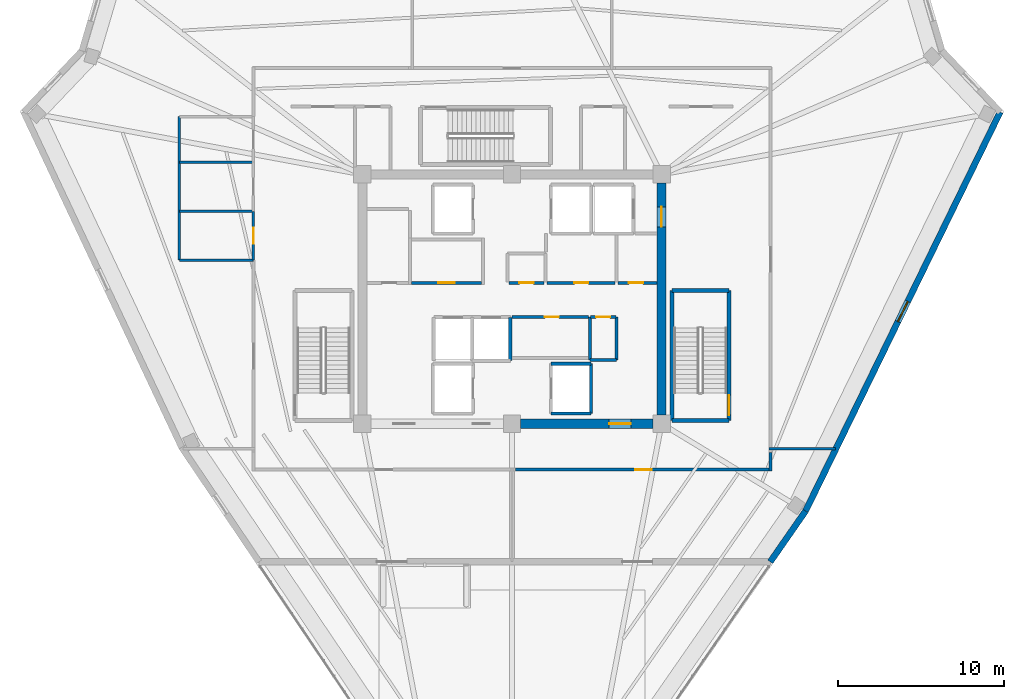
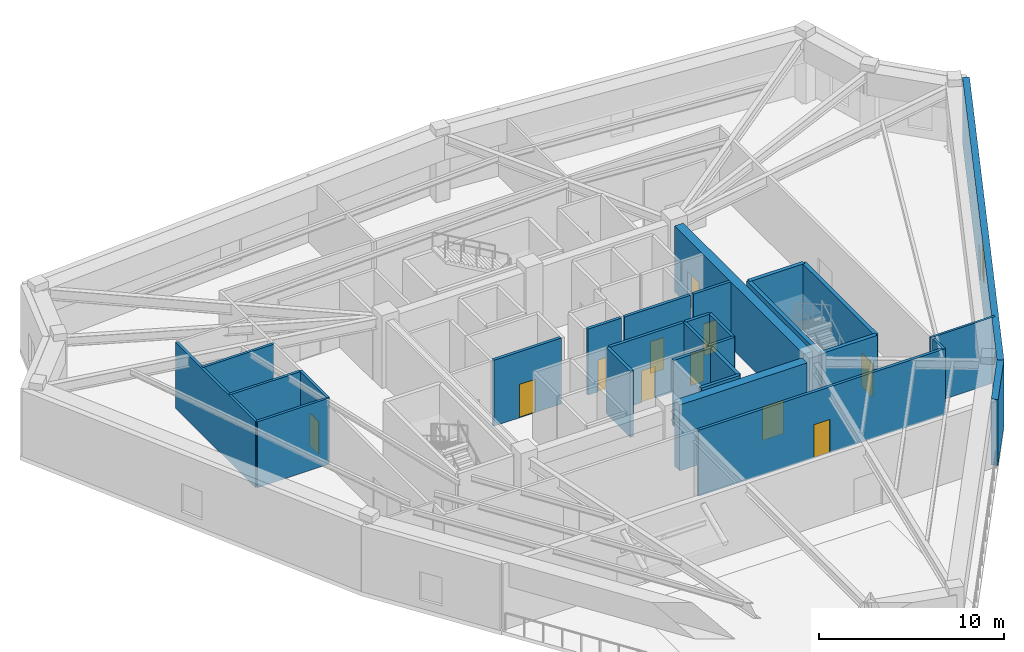
# One storey, part 5 of 12: 29 walls, 11 doors, 1 window, 12 openings.
"""IFC4 building model written with IfcOpenShell, lengths in metres."""

from ifc_helpers import new_model, si_unit, direction, frame, frame_2d, origin, place, context, subcontext, project, spatial, rectangle, extrude, source, transform, mapped, material, layer, layer_set, type_object, element, fill, save


model = new_model("IFC4")

# Units and contexts
model_context = context("Model", 3, precision=1e-05, world=origin(), true_north=direction((0.0, 1.0)))
body_context = subcontext(model_context, "Body", "Model", "MODEL_VIEW")
ifc_project = project(units=[si_unit("LENGTHUNIT", "METRE"), si_unit("AREAUNIT", "SQUARE_METRE"), si_unit("VOLUMEUNIT", "CUBIC_METRE"), si_unit("PLANEANGLEUNIT", "RADIAN"), si_unit("MASSUNIT", "GRAM", prefix="KILO")], contexts=[model_context])

# Site, building, storey
site_placement = place(None, origin())
site = spatial("IfcSite", under=ifc_project, at=site_placement, CompositionType="ELEMENT")
building_placement = place(site_placement, origin())
building = spatial("IfcBuilding", under=site, at=building_placement, Name="Liaohun Quay Tower", CompositionType="ELEMENT")
storey_placement = place(building_placement, frame((0.0, 0.0, 355.800048828125)))
storey = spatial("IfcBuildingStorey", under=building, at=storey_placement, Name="L92", CompositionType="ELEMENT", Elevation=355.800048828125)

# Wall, opening, door
ifc_material_1 = material(Name="Concrete C50", Category="concrete")
ifc_layer_1 = layer(ifc_material_1, 0.550048828125, Name="Concrete C50", Category="concrete")
ifc_layer_set_1 = layer_set([ifc_layer_1], Name="Concrete C50")
wall_type_1 = type_object("IfcWallType", Name="WAL-COR-Z4", PredefinedType="SHEAR", material=ifc_layer_set_1)
wall_1_placement = place(storey_placement, frame((69.0, 60.97509765625, 0.0), z_axis=(0.0, 0.0, 1.0), x_axis=(0.0, -1.0, 0.0)))
wall_1 = element("IfcWall", 1, at=wall_1_placement, inside=storey, type_object=wall_type_1, Name="L92 Central Core Shear Wall E", PredefinedType="SHEAR", context=body_context, shape_type="SweptSolid", body=[
    extrude(rectangle(XDim=13.9501953125, YDim=0.550048828125, at=frame_2d((6.97509765625, 0.0))), origin(), (0.0, 0.0, 1.0), 4.349853515625),
])
shared_shape_1 = source(origin(), body_context, "Body", "SweptSolid", [
    extrude(rectangle(XDim=1.199951171875, YDim=2.199951171875, at=frame_2d((0.60009765625, 1.10009765625))), frame((0.0, 0.284912109375, 0.0), z_axis=(0.0, -1.0, 0.0), x_axis=(1.0, 0.0, 0.0)), (0.0, 0.0, 1.0), 0.570068359375),
])
opening_1_placement = place(wall_1_placement, frame((1.425048828125, 0.0, 0.0)))
opening_1 = element("IfcOpeningElement", 2, at=opening_1_placement, cuts=wall_1, Name="Opening SD1", PredefinedType="OPENING", context=body_context, shape_type="MappedRepresentation", body=[
    mapped(shared_shape_1, transform((0.0, 0.0, 0.0), x_axis=(1.0, 0.0, 0.0), y_axis=(0.0, 1.0, 0.0), z_axis=(0.0, 0.0, 1.0), scale=1.0)),
])
ifc_material_2 = material(Name="Galvanised steel fire door", Category="steel")
door_type_1 = type_object("IfcDoorType", Name="DOR-STR-1200", OperationType="NOTDEFINED", PredefinedType="DOOR", material=ifc_material_2)
shared_shape_2 = source(origin(), body_context, "Body", "SweptSolid", [
    extrude(rectangle(XDim=1.199951171875, YDim=2.199951171875, at=frame_2d((0.60009765625, 1.10009765625))), frame((0.0, 0.02490234375, 0.0), z_axis=(0.0, -1.0, 0.0), x_axis=(1.0, 0.0, 0.0)), (0.0, 0.0, 1.0), 0.050048828125),
])
door_1_placement = place(opening_1_placement, origin())
door_1 = element("IfcDoor", 3, at=door_1_placement, inside=storey, type_object=door_type_1, Name="L92 North-East Core Lobby Smokeproof Door", OperationType="SINGLE_SWING_LEFT", OverallHeight=2.199951171875, OverallWidth=1.199951171875, PredefinedType="DOOR", context=body_context, shape_type="MappedRepresentation", body=[
    mapped(shared_shape_2, transform((0.0, 0.0, 0.0), x_axis=(1.0, 0.0, 0.0), y_axis=(0.0, 1.0, 0.0), z_axis=(0.0, 0.0, 1.0), scale=1.0)),
])
fill(opening_1, door_1)

wall_2_placement = place(storey_placement, frame((68.47509765625, 46.5, 0.0), z_axis=(0.0, 0.0, 1.0), x_axis=(-1.0, 0.0, 0.0)))
wall_2 = element("IfcWall", 4, at=wall_2_placement, inside=storey, type_object=wall_type_1, Name="L92 Central Core Shear Wall S-E", PredefinedType="SHEAR", context=body_context, shape_type="SweptSolid", body=[
    extrude(rectangle(XDim=7.9501953125, YDim=0.550048828125, at=frame_2d((3.97509765625, 0.0))), origin(), (0.0, 0.0, 1.0), 4.349853515625),
])
shared_shape_3 = source(origin(), body_context, "Body", "SweptSolid", [
    extrude(rectangle(XDim=1.300048828125, YDim=2.199951171875, at=frame_2d((0.64990234375, 1.10009765625))), frame((0.0, 0.284912109375, 0.0), z_axis=(0.0, -1.0, 0.0), x_axis=(1.0, 0.0, 0.0)), (0.0, 0.0, 1.0), 0.570068359375),
])
opening_2_placement = place(wall_2_placement, frame((1.324951171875, 0.0, 0.0)))
opening_2 = element("IfcOpeningElement", 5, at=opening_2_placement, cuts=wall_2, Name="Opening FD1", PredefinedType="OPENING", context=body_context, shape_type="MappedRepresentation", body=[
    mapped(shared_shape_3, transform((0.0, 0.0, 0.0), x_axis=(1.0, 0.0, 0.0), y_axis=(0.0, 1.0, 0.0), z_axis=(0.0, 0.0, 1.0), scale=1.0)),
])
ifc_material_3 = material(Name="Galvanised steel smokeproof fire door", Category="steel")
door_type_2 = type_object("IfcDoorType", Name="DOR-FFL-1300", OperationType="NOTDEFINED", PredefinedType="DOOR", material=ifc_material_3)
shared_shape_4 = source(origin(), body_context, "Body", "SweptSolid", [
    extrude(rectangle(XDim=1.300048828125, YDim=2.199951171875, at=frame_2d((0.64990234375, 1.10009765625))), frame((0.0, 0.02490234375, 0.0), z_axis=(0.0, -1.0, 0.0), x_axis=(1.0, 0.0, 0.0)), (0.0, 0.0, 1.0), 0.050048828125),
])
door_2_placement = place(opening_2_placement, origin())
door_2 = element("IfcDoor", 6, at=door_2_placement, inside=storey, type_object=door_type_2, Name="L92 East Core Lift Lobby Smokeproof Door", OperationType="SINGLE_SWING_LEFT", OverallHeight=2.199951171875, OverallWidth=1.300048828125, PredefinedType="DOOR", context=body_context, shape_type="MappedRepresentation", body=[
    mapped(shared_shape_4, transform((0.0, 0.0, 0.0), x_axis=(1.0, 0.0, 0.0), y_axis=(0.0, 1.0, 0.0), z_axis=(0.0, 0.0, 1.0), scale=1.0)),
])
fill(opening_2, door_2)

# Wall
ifc_material_4 = material(Name="Precast concrete C50 insulated sandwich", Category="concrete")
ifc_layer_2 = layer(ifc_material_4, 0.3798828125, Name="Precast concrete C50 insulated sandwich", Category="concrete")
ifc_layer_set_2 = layer_set([ifc_layer_2], Name="Precast concrete C50 insulated sandwich")
wall_type_2 = type_object("IfcWallType", Name="WAL-EXT-Z34", PredefinedType="SOLIDWALL", material=ifc_layer_set_2)
wall_3_placement = place(storey_placement, frame((75.5419921875, 38.18994140625, 0.0), z_axis=(0.0, 0.0, 1.0), x_axis=(0.570580153898, 0.821241918059, 0.0)))
element("IfcWall", 7, at=wall_3_placement, inside=storey, type_object=wall_type_2, Name="L92 Sky Belvedere Exterior Wall 01", PredefinedType="SOLIDWALL", context=body_context, shape_type="SweptSolid", body=[
    extrude(rectangle(XDim=3.72265625, YDim=0.3798828125, at=frame_2d((1.861328125, 0.0))), origin(), (0.0, 0.0, 1.0), 4.349853515625),
])

# Wall, opening, window
wall_4_placement = place(storey_placement, frame((77.666015625, 41.2470703125, 0.0), z_axis=(0.0, 0.0, 1.0), x_axis=(0.438342251302, 0.898808138995, 0.0)))
wall_4 = element("IfcWall", 8, at=wall_4_placement, inside=storey, type_object=wall_type_2, Name="L92 Sky Belvedere Exterior Wall 02", PredefinedType="SOLIDWALL", context=body_context, shape_type="SweptSolid", body=[
    extrude(rectangle(XDim=26.71630859375, YDim=0.3798828125, at=frame_2d((13.358154296875, 0.0))), origin(), (0.0, 0.0, 1.0), 4.349853515625),
])
shared_shape_5 = source(origin(), body_context, "Body", "SweptSolid", [
    extrude(rectangle(XDim=1.35009765625, YDim=1.85009765625, at=frame_2d((0.675048828125, 0.925048828125))), frame((0.0, 0.199951171875, 0.0), z_axis=(0.0, -1.0, 0.0), x_axis=(1.0, 0.0, 0.0)), (0.0, 0.0, 1.0), 0.39990234375),
])
opening_3_placement = place(wall_4_placement, frame((12.68310546875, 0.0, 0.550048828125)))
opening_3 = element("IfcOpeningElement", 9, at=opening_3_placement, cuts=wall_4, Name="Opening W04", PredefinedType="OPENING", context=body_context, shape_type="MappedRepresentation", body=[
    mapped(shared_shape_5, transform((0.0, 0.0, 0.0), x_axis=(1.0, 0.0, 0.0), y_axis=(0.0, 1.0, 0.0), z_axis=(0.0, 0.0, 1.0), scale=1.0)),
])
ifc_material_5 = material(Name="Triple Low-E argon glazing in thermally broken aluminium", Category="aluminium")
window_type = type_object("IfcWindowType", Name="WIN-PUN-Z4", PartitioningType="SINGLE_PANEL", PredefinedType="WINDOW", material=ifc_material_5)
shared_shape_6 = source(origin(), body_context, "Body", "SweptSolid", [
    extrude(rectangle(XDim=1.35009765625, YDim=1.85009765625, at=frame_2d((0.675048828125, 0.925048828125))), frame((0.0, 0.030029296875, 0.0), z_axis=(0.0, -1.0, 0.0), x_axis=(1.0, 0.0, 0.0)), (0.0, 0.0, 1.0), 0.06005859375),
])
window_placement = place(opening_3_placement, origin())
window = element("IfcWindow", 10, at=window_placement, inside=storey, type_object=window_type, Name="L92 Observatory Window W04-02", OverallHeight=1.85009765625, OverallWidth=1.35009765625, PartitioningType="SINGLE_PANEL", PredefinedType="WINDOW", context=body_context, shape_type="MappedRepresentation", body=[
    mapped(shared_shape_6, transform((0.0, 0.0, 0.0), x_axis=(1.0, 0.0, 0.0), y_axis=(0.0, 1.0, 0.0), z_axis=(0.0, 0.0, 1.0), scale=1.0)),
])
fill(opening_3, window)

# Wall, opening, door
ifc_material_6 = material(Name="Autoclaved aerated concrete blockwork", Category="masonry")
ifc_layer_3 = layer(ifc_material_6, 0.179931640625, Name="Autoclaved aerated concrete blockwork", Category="masonry")
ifc_layer_set_3 = layer_set([ifc_layer_3], Name="Autoclaved aerated concrete blockwork")
wall_type_3 = type_object("IfcWallType", Name="WAL-PRT-COR", PredefinedType="PARTITIONING", material=ifc_layer_set_3)
wall_5_placement = place(storey_placement, frame((60.0, 52.919921875, 0.0), z_axis=(0.0, 0.0, 1.0), x_axis=(1.0, 0.0, 0.0)))
wall_5 = element("IfcWall", 11, at=wall_5_placement, inside=storey, type_object=wall_type_3, Name="L92 Interior Partition Wall 001", PredefinedType="PARTITIONING", context=body_context, shape_type="SweptSolid", body=[
    extrude(rectangle(XDim=4.60009765625, YDim=0.179931640625, at=frame_2d((2.300048828125, 0.0))), origin(), (0.0, 0.0, 1.0), 4.349853515625),
])
shared_shape_7 = source(origin(), body_context, "Body", "SweptSolid", [
    extrude(rectangle(XDim=0.85009765625, YDim=2.10009765625, at=frame_2d((0.425048828125, 1.050048828125))), frame((0.0, 0.099853515625, 0.0), z_axis=(0.0, -1.0, 0.0), x_axis=(1.0, 0.0, 0.0)), (0.0, 0.0, 1.0), 0.199951171875),
])
opening_4_placement = place(wall_5_placement, frame((1.97509765625, 0.0, 0.0)))
opening_4 = element("IfcOpeningElement", 12, at=opening_4_placement, cuts=wall_5, Name="Opening AD1", PredefinedType="OPENING", context=body_context, shape_type="MappedRepresentation", body=[
    mapped(shared_shape_7, transform((0.0, 0.0, 0.0), x_axis=(1.0, 0.0, 0.0), y_axis=(0.0, 1.0, 0.0), z_axis=(0.0, 0.0, 1.0), scale=1.0)),
])
ifc_material_7 = material(Name="Steel riser inspection fire door", Category="steel")
door_type_3 = type_object("IfcDoorType", Name="DOR-SHF-850", OperationType="NOTDEFINED", PredefinedType="DOOR", material=ifc_material_7)
shared_shape_8 = source(origin(), body_context, "Body", "SweptSolid", [
    extrude(rectangle(XDim=0.85009765625, YDim=2.10009765625, at=frame_2d((0.425048828125, 1.050048828125))), frame((0.0, 0.02490234375, 0.0), z_axis=(0.0, -1.0, 0.0), x_axis=(1.0, 0.0, 0.0)), (0.0, 0.0, 1.0), 0.050048828125),
])
door_3_placement = place(opening_4_placement, origin())
door_3 = element("IfcDoor", 13, at=door_3_placement, inside=storey, type_object=door_type_3, Name="L92 Core High-Zone BMS and Switch Room Door", OperationType="SINGLE_SWING_LEFT", OverallHeight=2.10009765625, OverallWidth=0.85009765625, PredefinedType="DOOR", context=body_context, shape_type="MappedRepresentation", body=[
    mapped(shared_shape_8, transform((0.0, 0.0, 0.0), x_axis=(1.0, 0.0, 0.0), y_axis=(0.0, 1.0, 0.0), z_axis=(0.0, 0.0, 1.0), scale=1.0)),
])
fill(opening_4, door_3)

wall_6_placement = place(storey_placement, frame((53.93994140625, 54.97998046875, 0.0), z_axis=(0.0, 0.0, 1.0), x_axis=(1.0, 0.0, 0.0)))
wall_6 = element("IfcWall", 14, at=wall_6_placement, inside=storey, type_object=wall_type_3, Name="L92 Interior Partition Wall 002", PredefinedType="PARTITIONING", context=body_context, shape_type="SweptSolid", body=[
    extrude(rectangle(XDim=4.219970703125, YDim=0.179931640625, at=frame_2d((2.10986328125, 0.0))), origin(), (0.0, 0.0, 1.0), 4.349853515625),
])
shared_shape_9 = source(origin(), body_context, "Body", "SweptSolid", [
    extrude(rectangle(XDim=1.0, YDim=2.199951171875, at=frame_2d((0.5, 1.10009765625))), frame((0.0, 0.099853515625, 0.0), z_axis=(0.0, -1.0, 0.0), x_axis=(1.0, 0.0, 0.0)), (0.0, 0.0, 1.0), 0.199951171875),
])
opening_5_placement = place(wall_6_placement, frame((1.610107421875, 0.0, 0.0)))
opening_5 = element("IfcOpeningElement", 15, at=opening_5_placement, cuts=wall_6, Name="Opening OD1", PredefinedType="OPENING", context=body_context, shape_type="MappedRepresentation", body=[
    mapped(shared_shape_9, transform((0.0, 0.0, 0.0), x_axis=(1.0, 0.0, 0.0), y_axis=(0.0, 1.0, 0.0), z_axis=(0.0, 0.0, 1.0), scale=1.0)),
])
ifc_material_8 = material(Name="Solid-core oak veneer timber leaf in steel frame", Category="steel")
door_type_4 = type_object("IfcDoorType", Name="DOR-OFF-1000", OperationType="NOTDEFINED", PredefinedType="DOOR", material=ifc_material_8)
shared_shape_10 = source(origin(), body_context, "Body", "SweptSolid", [
    extrude(rectangle(XDim=1.0, YDim=2.199951171875, at=frame_2d((0.5, 1.10009765625))), frame((0.0, 0.02490234375, 0.0), z_axis=(0.0, -1.0, 0.0), x_axis=(1.0, 0.0, 0.0)), (0.0, 0.0, 1.0), 0.050048828125),
])
door_4_placement = place(opening_5_placement, origin())
door_4 = element("IfcDoor", 16, at=door_4_placement, inside=storey, type_object=door_type_4, Name="L92 Core Staff Pantry and Tea Room Door", OperationType="SINGLE_SWING_RIGHT", OverallHeight=2.199951171875, OverallWidth=1.0, PredefinedType="DOOR", context=body_context, shape_type="MappedRepresentation", body=[
    mapped(shared_shape_10, transform((0.0, 0.0, 0.0), x_axis=(1.0, 0.0, 0.0), y_axis=(0.0, 1.0, 0.0), z_axis=(0.0, 0.0, 1.0), scale=1.0)),
])
fill(opening_5, door_4)

wall_7_placement = place(storey_placement, frame((62.10009765625, 54.97998046875, 0.0), z_axis=(0.0, 0.0, 1.0), x_axis=(1.0, 0.0, 0.0)))
wall_7 = element("IfcWall", 17, at=wall_7_placement, inside=storey, type_object=wall_type_3, Name="L92 Interior Partition Wall 004", PredefinedType="PARTITIONING", context=body_context, shape_type="SweptSolid", body=[
    extrude(rectangle(XDim=4.10986328125, YDim=0.179931640625, at=frame_2d((2.054931640625, 0.0))), origin(), (0.0, 0.0, 1.0), 4.349853515625),
])
opening_6_placement = place(wall_7_placement, frame((1.64990234375, 0.0, 0.0)))
opening_6 = element("IfcOpeningElement", 18, at=opening_6_placement, cuts=wall_7, Name="Opening AD1", PredefinedType="OPENING", context=body_context, shape_type="MappedRepresentation", body=[
    mapped(shared_shape_7, transform((0.0, 0.0, 0.0), x_axis=(1.0, 0.0, 0.0), y_axis=(0.0, 1.0, 0.0), z_axis=(0.0, 0.0, 1.0), scale=1.0)),
])
door_5_placement = place(opening_6_placement, origin())
door_5 = element("IfcDoor", 19, at=door_5_placement, inside=storey, type_object=door_type_3, Name="L92 Core Metering Closet Door", OperationType="SINGLE_SWING_RIGHT", OverallHeight=2.10009765625, OverallWidth=0.85009765625, PredefinedType="DOOR", context=body_context, shape_type="MappedRepresentation", body=[
    mapped(shared_shape_8, transform((0.0, 0.0, 0.0), x_axis=(1.0, 0.0, 0.0), y_axis=(0.0, 1.0, 0.0), z_axis=(0.0, 0.0, 1.0), scale=1.0)),
])
fill(opening_6, door_5)

wall_8_placement = place(storey_placement, frame((66.389892578125, 54.97998046875, 0.0), z_axis=(0.0, 0.0, 1.0), x_axis=(1.0, 0.0, 0.0)))
wall_8 = element("IfcWall", 20, at=wall_8_placement, inside=storey, type_object=wall_type_3, Name="L92 Interior Partition Wall 005", PredefinedType="PARTITIONING", context=body_context, shape_type="SweptSolid", body=[
    extrude(rectangle(XDim=2.335205078125, YDim=0.179931640625, at=frame_2d((1.16748046875, 0.0))), origin(), (0.0, 0.0, 1.0), 4.349853515625),
])
opening_7_placement = place(wall_8_placement, frame((0.64990234375, 0.0, 0.0)))
opening_7 = element("IfcOpeningElement", 21, at=opening_7_placement, cuts=wall_8, Name="Opening AD1", PredefinedType="OPENING", context=body_context, shape_type="MappedRepresentation", body=[
    mapped(shared_shape_7, transform((0.0, 0.0, 0.0), x_axis=(1.0, 0.0, 0.0), y_axis=(0.0, 1.0, 0.0), z_axis=(0.0, 0.0, 1.0), scale=1.0)),
])
door_6_placement = place(opening_7_placement, origin())
door_6 = element("IfcDoor", 22, at=door_6_placement, inside=storey, type_object=door_type_3, Name="L92 Core Janitor Store Door", OperationType="SINGLE_SWING_LEFT", OverallHeight=2.10009765625, OverallWidth=0.85009765625, PredefinedType="DOOR", context=body_context, shape_type="MappedRepresentation", body=[
    mapped(shared_shape_8, transform((0.0, 0.0, 0.0), x_axis=(1.0, 0.0, 0.0), y_axis=(0.0, 1.0, 0.0), z_axis=(0.0, 0.0, 1.0), scale=1.0)),
])
fill(opening_7, door_6)

wall_9_placement = place(storey_placement, frame((59.81005859375, 54.97998046875, 0.0), z_axis=(0.0, 0.0, 1.0), x_axis=(1.0, 0.0, 0.0)))
wall_9 = element("IfcWall", 23, at=wall_9_placement, inside=storey, type_object=wall_type_3, Name="L92 Interior Partition Wall 006", PredefinedType="PARTITIONING", context=body_context, shape_type="SweptSolid", body=[
    extrude(rectangle(XDim=2.10986328125, YDim=0.179931640625, at=frame_2d((1.054931640625, 0.0))), origin(), (0.0, 0.0, 1.0), 4.349853515625),
])
opening_8_placement = place(wall_9_placement, frame((0.635009765625, 0.0, 0.0)))
opening_8 = element("IfcOpeningElement", 24, at=opening_8_placement, cuts=wall_9, Name="Opening AD1", PredefinedType="OPENING", context=body_context, shape_type="MappedRepresentation", body=[
    mapped(shared_shape_7, transform((0.0, 0.0, 0.0), x_axis=(1.0, 0.0, 0.0), y_axis=(0.0, 1.0, 0.0), z_axis=(0.0, 0.0, 1.0), scale=1.0)),
])
door_7_placement = place(opening_8_placement, origin())
door_7 = element("IfcDoor", 25, at=door_7_placement, inside=storey, type_object=door_type_3, Name="L92 Electrical Meter Room Door", OperationType="SINGLE_SWING_RIGHT", OverallHeight=2.10009765625, OverallWidth=0.85009765625, PredefinedType="DOOR", context=body_context, shape_type="MappedRepresentation", body=[
    mapped(shared_shape_8, transform((0.0, 0.0, 0.0), x_axis=(1.0, 0.0, 0.0), y_axis=(0.0, 1.0, 0.0), z_axis=(0.0, 0.0, 1.0), scale=1.0)),
])
fill(opening_8, door_7)

wall_10_placement = place(storey_placement, frame((64.719970703125, 52.919921875, 0.0), z_axis=(0.0, 0.0, 1.0), x_axis=(1.0, 0.0, 0.0)))
wall_10 = element("IfcWall", 26, at=wall_10_placement, inside=storey, type_object=wall_type_3, Name="L92 Interior Partition Wall 007", PredefinedType="PARTITIONING", context=body_context, shape_type="SweptSolid", body=[
    extrude(rectangle(XDim=1.530029296875, YDim=0.179931640625, at=frame_2d((0.76513671875, 0.0))), origin(), (0.0, 0.0, 1.0), 4.349853515625),
])
opening_9_placement = place(wall_10_placement, frame((0.340087890625, 0.0, 0.0)))
opening_9 = element("IfcOpeningElement", 27, at=opening_9_placement, cuts=wall_10, Name="Opening AD1", PredefinedType="OPENING", context=body_context, shape_type="MappedRepresentation", body=[
    mapped(shared_shape_7, transform((0.0, 0.0, 0.0), x_axis=(1.0, 0.0, 0.0), y_axis=(0.0, 1.0, 0.0), z_axis=(0.0, 0.0, 1.0), scale=1.0)),
])
door_8_placement = place(opening_9_placement, origin())
door_8 = element("IfcDoor", 28, at=door_8_placement, inside=storey, type_object=door_type_3, Name="L92 BMS Data Riser Room Door", OperationType="SINGLE_SWING_LEFT", OverallHeight=2.10009765625, OverallWidth=0.85009765625, PredefinedType="DOOR", context=body_context, shape_type="MappedRepresentation", body=[
    mapped(shared_shape_8, transform((0.0, 0.0, 0.0), x_axis=(1.0, 0.0, 0.0), y_axis=(0.0, 1.0, 0.0), z_axis=(0.0, 0.0, 1.0), scale=1.0)),
])
fill(opening_9, door_8)

wall_11_placement = place(storey_placement, frame((75.6298828125, 43.739990234375, 0.0), z_axis=(0.0, 0.0, 1.0), x_axis=(-1.0, 0.0, 0.0)))
wall_11 = element("IfcWall", 29, at=wall_11_placement, inside=storey, type_object=wall_type_3, Name="L92 Interior Partition Wall 019", PredefinedType="PARTITIONING", context=body_context, shape_type="SweptSolid", body=[
    extrude(rectangle(XDim=15.414794921875, YDim=0.179931640625, at=frame_2d((7.70751953125, 0.0))), origin(), (0.0, 0.0, 1.0), 4.349853515625),
])
opening_10_placement = place(wall_11_placement, frame((7.20703125, 0.0, 0.0)))
opening_10 = element("IfcOpeningElement", 30, at=opening_10_placement, cuts=wall_11, Name="Opening OD1", PredefinedType="OPENING", context=body_context, shape_type="MappedRepresentation", body=[
    mapped(shared_shape_9, transform((0.0, 0.0, 0.0), x_axis=(1.0, 0.0, 0.0), y_axis=(0.0, 1.0, 0.0), z_axis=(0.0, 0.0, 1.0), scale=1.0)),
])
door_9_placement = place(opening_10_placement, origin())
door_9 = element("IfcDoor", 31, at=door_9_placement, inside=storey, type_object=door_type_4, Name="L92 Observatory Weather Laboratory 05 Door", OperationType="SINGLE_SWING_LEFT", OverallHeight=2.199951171875, OverallWidth=1.0, PredefinedType="DOOR", context=body_context, shape_type="MappedRepresentation", body=[
    mapped(shared_shape_10, transform((0.0, 0.0, 0.0), x_axis=(1.0, 0.0, 0.0), y_axis=(0.0, 1.0, 0.0), z_axis=(0.0, 0.0, 1.0), scale=1.0)),
])
fill(opening_10, door_9)

# Walls
wall_12_placement = place(storey_placement, frame((64.68994140625, 50.35009765625, 0.0), z_axis=(0.0, 0.0, 1.0), x_axis=(0.0, 1.0, 0.0)))
element("IfcWall", 32, at=wall_12_placement, inside=storey, type_object=wall_type_3, Name="L92 Interior Partition Wall 025", PredefinedType="PARTITIONING", context=body_context, shape_type="SweptSolid", body=[
    extrude(rectangle(XDim=2.56982421875, YDim=0.179931640625, at=frame_2d((1.284912109375, 0.0))), origin(), (0.0, 0.0, 1.0), 4.349853515625),
])
wall_13_placement = place(storey_placement, frame((64.68994140625, 50.35009765625, 0.0), z_axis=(0.0, 0.0, 1.0), x_axis=(1.0, 0.0, 0.0)))
element("IfcWall", 33, at=wall_13_placement, inside=storey, type_object=wall_type_3, Name="L92 Interior Partition Wall 026", PredefinedType="PARTITIONING", context=body_context, shape_type="SweptSolid", body=[
    extrude(rectangle(XDim=1.590087890625, YDim=0.179931640625, at=frame_2d((0.794921875, 0.0))), origin(), (0.0, 0.0, 1.0), 4.349853515625),
])
wall_14_placement = place(storey_placement, frame((66.280029296875, 50.35009765625, 0.0), z_axis=(0.0, 0.0, 1.0), x_axis=(0.0, 1.0, 0.0)))
element("IfcWall", 34, at=wall_14_placement, inside=storey, type_object=wall_type_3, Name="L92 Interior Partition Wall 027", PredefinedType="PARTITIONING", context=body_context, shape_type="SweptSolid", body=[
    extrude(rectangle(XDim=2.56982421875, YDim=0.179931640625, at=frame_2d((1.284912109375, 0.0))), origin(), (0.0, 0.0, 1.0), 4.349853515625),
])
wall_15_placement = place(storey_placement, frame((75.56005859375, 44.784912109375, 0.0), z_axis=(0.0, 0.0, 1.0), x_axis=(0.0, -1.0, 0.0)))
element("IfcWall", 35, at=wall_15_placement, inside=storey, type_object=wall_type_3, Name="L92 Interior Partition Wall 041", PredefinedType="PARTITIONING", context=body_context, shape_type="SweptSolid", body=[
    extrude(rectangle(XDim=1.114990234375, YDim=0.179931640625, at=frame_2d((0.5576171875, 0.0))), origin(), (0.0, 0.0, 1.0), 4.349853515625),
])
ifc_material_9 = material(Name="Gypsum board on twin steel studs", Category="steel")
ifc_layer_4 = layer(ifc_material_9, 0.139892578125, Name="Gypsum board on twin steel studs", Category="steel")
ifc_layer_set_4 = layer_set([ifc_layer_4], Name="Gypsum board on twin steel studs")
wall_type_4 = type_object("IfcWallType", Name="WAL-PRT-OFF", PredefinedType="PARTITIONING", material=ifc_layer_set_4)
wall_16_placement = place(storey_placement, frame((75.4599609375, 45.0, 0.0), z_axis=(0.0, 0.0, 1.0), x_axis=(1.0, 0.0, 0.0)))
element("IfcWall", 36, at=wall_16_placement, inside=storey, type_object=wall_type_4, Name="L92 Interior Partition Wall 043", PredefinedType="PARTITIONING", context=body_context, shape_type="SweptSolid", body=[
    extrude(rectangle(XDim=4.0029296875, YDim=0.139892578125, at=frame_2d((2.00146484375, 0.0))), origin(), (0.0, 0.0, 1.0), 4.349853515625),
])

# Wall, opening, door
ifc_material_10 = material(Name="Moisture-resistant masonry blockwork", Category="masonry")
ifc_layer_5 = layer(ifc_material_10, 0.159912109375, Name="Moisture-resistant masonry blockwork", Category="masonry")
ifc_layer_set_5 = layer_set([ifc_layer_5], Name="Moisture-resistant masonry blockwork")
wall_type_5 = type_object("IfcWallType", Name="WAL-PRT-WET", PredefinedType="PARTITIONING", material=ifc_layer_set_5)
wall_17_placement = place(storey_placement, frame((44.43994140625, 56.340087890625, 0.0), z_axis=(0.0, 0.0, 1.0), x_axis=(0.0, 1.0, 0.0)))
wall_17 = element("IfcWall", 37, at=wall_17_placement, inside=storey, type_object=wall_type_5, Name="L92 Interior Partition Wall 008", PredefinedType="PARTITIONING", context=body_context, shape_type="SweptSolid", body=[
    extrude(rectangle(XDim=2.93994140625, YDim=0.159912109375, at=frame_2d((1.469970703125, 0.0))), origin(), (0.0, 0.0, 1.0), 4.349853515625),
])
shared_shape_11 = source(origin(), body_context, "Body", "SweptSolid", [
    extrude(rectangle(XDim=0.949951171875, YDim=2.14990234375, at=frame_2d((0.47509765625, 1.074951171875))), frame((0.0, 0.08984375, 0.0), z_axis=(0.0, -1.0, 0.0), x_axis=(1.0, 0.0, 0.0)), (0.0, 0.0, 1.0), 0.179931640625),
])
opening_11_placement = place(wall_17_placement, frame((0.9951171875, 0.0, 0.0)))
opening_11 = element("IfcOpeningElement", 38, at=opening_11_placement, cuts=wall_17, Name="Opening WD1", PredefinedType="OPENING", context=body_context, shape_type="MappedRepresentation", body=[
    mapped(shared_shape_11, transform((0.0, 0.0, 0.0), x_axis=(1.0, 0.0, 0.0), y_axis=(0.0, 1.0, 0.0), z_axis=(0.0, 0.0, 1.0), scale=1.0)),
])
ifc_material_11 = material(Name="Moisture-resistant laminate timber leaf", Category="wood")
door_type_5 = type_object("IfcDoorType", Name="DOR-WC-950", OperationType="NOTDEFINED", PredefinedType="DOOR", material=ifc_material_11)
shared_shape_12 = source(origin(), body_context, "Body", "SweptSolid", [
    extrude(rectangle(XDim=0.949951171875, YDim=2.14990234375, at=frame_2d((0.47509765625, 1.074951171875))), frame((0.0, 0.02490234375, 0.0), z_axis=(0.0, -1.0, 0.0), x_axis=(1.0, 0.0, 0.0)), (0.0, 0.0, 1.0), 0.050048828125),
])
door_10_placement = place(opening_11_placement, origin())
door_10 = element("IfcDoor", 39, at=door_10_placement, inside=storey, type_object=door_type_5, Name="L92 Male Restroom WC Door", OperationType="SINGLE_SWING_RIGHT", OverallHeight=2.14990234375, OverallWidth=0.949951171875, PredefinedType="DOOR", context=body_context, shape_type="MappedRepresentation", body=[
    mapped(shared_shape_12, transform((0.0, 0.0, 0.0), x_axis=(1.0, 0.0, 0.0), y_axis=(0.0, 1.0, 0.0), z_axis=(0.0, 0.0, 1.0), scale=1.0)),
])
fill(opening_11, door_10)

# Walls
wall_18_placement = place(storey_placement, frame((39.97998046875, 56.340087890625, 0.0), z_axis=(0.0, 0.0, 1.0), x_axis=(0.0, 1.0, 0.0)))
element("IfcWall", 40, at=wall_18_placement, inside=storey, type_object=wall_type_5, Name="L92 Interior Partition Wall 028", PredefinedType="PARTITIONING", context=body_context, shape_type="SweptSolid", body=[
    extrude(rectangle(XDim=8.639892578125, YDim=0.159912109375, at=frame_2d((4.31982421875, 0.0))), origin(), (0.0, 0.0, 1.0), 4.349853515625),
])
for number, where, z_axis, x_axis, name in (
    (41, (39.97998046875, 56.340087890625, 0.0), (0.0, 0.0, 1.0), (1.0, 0.0, 0.0), "L92 Interior Partition Wall 029"),
    (42, (39.97998046875, 59.280029296875, 0.0), (0.0, 0.0, 1.0), (1.0, 0.0, 0.0), "L92 Interior Partition Wall 030"),
    (43, (39.97998046875, 62.239990234375, 0.0), (0.0, 0.0, 1.0), (1.0, 0.0, 0.0), "L92 Interior Partition Wall 031"),
):
    element("IfcWall", number, at=place(storey_placement, frame(where, z_axis=z_axis, x_axis=x_axis)), inside=storey, type_object=wall_type_5, Name=name, PredefinedType="PARTITIONING", context=body_context, shape_type="SweptSolid", body=[
        extrude(rectangle(XDim=4.4599609375, YDim=0.159912109375, at=frame_2d((2.22998046875, 0.0))), origin(), (0.0, 0.0, 1.0), 4.349853515625),
    ])
ifc_layer_6 = layer(ifc_material_1, 0.239990234375, Name="Concrete C50", Category="concrete")
ifc_layer_set_6 = layer_set([ifc_layer_6], Name="Concrete C50")
wall_type_6 = type_object("IfcWallType", Name="WAL-SHF-200", PredefinedType="SOLIDWALL", material=ifc_layer_set_6)
wall_19_placement = place(storey_placement, frame((69.6201171875, 46.699951171875, 0.0), z_axis=(0.0, 0.0, 1.0), x_axis=(1.0, 0.0, 0.0)))
element("IfcWall", 44, at=wall_19_placement, inside=storey, type_object=wall_type_6, Name="L92 Stairwell ST-2 Structural Core Wall S", PredefinedType="SOLIDWALL", context=body_context, shape_type="SweptSolid", body=[
    extrude(rectangle(XDim=3.43994140625, YDim=0.239990234375, at=frame_2d((1.719970703125, 0.0))), origin(), (0.0, 0.0, 1.0), 4.349853515625),
])

# Wall, opening, door
wall_20_placement = place(storey_placement, frame((73.06005859375, 46.699951171875, 0.0), z_axis=(0.0, 0.0, 1.0), x_axis=(0.0, 1.0, 0.0)))
wall_20 = element("IfcWall", 45, at=wall_20_placement, inside=storey, type_object=wall_type_6, Name="L92 Stairwell ST-2 Structural Core Wall E", PredefinedType="SOLIDWALL", context=body_context, shape_type="SweptSolid", body=[
    extrude(rectangle(XDim=7.820068359375, YDim=0.239990234375, at=frame_2d((3.91015625, 0.0))), origin(), (0.0, 0.0, 1.0), 4.349853515625),
])
shared_shape_13 = source(origin(), body_context, "Body", "SweptSolid", [
    extrude(rectangle(XDim=1.199951171875, YDim=2.199951171875, at=frame_2d((0.60009765625, 1.10009765625))), frame((0.0, 0.1298828125, 0.0), z_axis=(0.0, -1.0, 0.0), x_axis=(1.0, 0.0, 0.0)), (0.0, 0.0, 1.0), 0.260009765625),
])
opening_12_placement = place(wall_20_placement, frame((0.320068359375, 0.0, 0.0)))
opening_12 = element("IfcOpeningElement", 46, at=opening_12_placement, cuts=wall_20, Name="Opening SD1", PredefinedType="OPENING", context=body_context, shape_type="MappedRepresentation", body=[
    mapped(shared_shape_13, transform((0.0, 0.0, 0.0), x_axis=(1.0, 0.0, 0.0), y_axis=(0.0, 1.0, 0.0), z_axis=(0.0, 0.0, 1.0), scale=1.0)),
])
door_11_placement = place(opening_12_placement, origin())
door_11 = element("IfcDoor", 47, at=door_11_placement, inside=storey, type_object=door_type_1, Name="L92 Protected Stair ST-2 Fire Door", OperationType="SINGLE_SWING_RIGHT", OverallHeight=2.199951171875, OverallWidth=1.199951171875, PredefinedType="DOOR", context=body_context, shape_type="MappedRepresentation", body=[
    mapped(shared_shape_2, transform((0.0, 0.0, 0.0), x_axis=(1.0, 0.0, 0.0), y_axis=(0.0, 1.0, 0.0), z_axis=(0.0, 0.0, 1.0), scale=1.0)),
])
fill(opening_12, door_11)

# Walls
wall_21_placement = place(storey_placement, frame((73.06005859375, 54.52001953125, 0.0), z_axis=(0.0, 0.0, 1.0), x_axis=(-1.0, 0.0, 0.0)))
element("IfcWall", 48, at=wall_21_placement, inside=storey, type_object=wall_type_6, Name="L92 Stairwell ST-2 Structural Core Wall N", PredefinedType="SOLIDWALL", context=body_context, shape_type="SweptSolid", body=[
    extrude(rectangle(XDim=3.43994140625, YDim=0.239990234375, at=frame_2d((1.719970703125, 0.0))), origin(), (0.0, 0.0, 1.0), 4.349853515625),
])
wall_22_placement = place(storey_placement, frame((69.6201171875, 54.52001953125, 0.0), z_axis=(0.0, 0.0, 1.0), x_axis=(0.0, -1.0, 0.0)))
element("IfcWall", 49, at=wall_22_placement, inside=storey, type_object=wall_type_6, Name="L92 Stairwell ST-2 Structural Core Wall W", PredefinedType="SOLIDWALL", context=body_context, shape_type="SweptSolid", body=[
    extrude(rectangle(XDim=7.820068359375, YDim=0.239990234375, at=frame_2d((3.91015625, 0.0))), origin(), (0.0, 0.0, 1.0), 4.349853515625),
])
wall_23_placement = place(storey_placement, frame((62.35009765625, 47.1201171875, 0.0), z_axis=(0.0, 0.0, 1.0), x_axis=(1.0, 0.0, 0.0)))
element("IfcWall", 50, at=wall_23_placement, inside=storey, type_object=wall_type_6, Name="L92 Lift FF-02 Hoistway Wall S", PredefinedType="SOLIDWALL", context=body_context, shape_type="SweptSolid", body=[
    extrude(rectangle(XDim=2.39990234375, YDim=0.199951171875, at=frame_2d((1.199951171875, 0.0))), origin(), (0.0, 0.0, 1.0), 4.349853515625),
])
wall_24_placement = place(storey_placement, frame((64.75, 47.1201171875, 0.0), z_axis=(0.0, 0.0, 1.0), x_axis=(0.0, 1.0, 0.0)))
element("IfcWall", 51, at=wall_24_placement, inside=storey, type_object=wall_type_6, Name="L92 Lift FF-02 Hoistway Wall E", PredefinedType="SOLIDWALL", context=body_context, shape_type="SweptSolid", body=[
    extrude(rectangle(XDim=3.0, YDim=0.199951171875, at=frame_2d((1.5, 0.0))), origin(), (0.0, 0.0, 1.0), 4.349853515625),
])
wall_25_placement = place(storey_placement, frame((64.75, 50.1201171875, 0.0), z_axis=(0.0, 0.0, 1.0), x_axis=(-1.0, 0.0, 0.0)))
element("IfcWall", 52, at=wall_25_placement, inside=storey, type_object=wall_type_6, Name="L92 Lift FF-02 Hoistway Wall N", PredefinedType="SOLIDWALL", context=body_context, shape_type="SweptSolid", body=[
    extrude(rectangle(XDim=2.39990234375, YDim=0.199951171875, at=frame_2d((1.199951171875, 0.0))), origin(), (0.0, 0.0, 1.0), 4.349853515625),
])
wall_26_placement = place(storey_placement, frame((59.89990234375, 50.300048828125, 0.0), z_axis=(0.0, 0.0, 1.0), x_axis=(0.0, 1.0, 0.0)))
element("IfcWall", 53, at=wall_26_placement, inside=storey, type_object=wall_type_6, Name="L92 Lift PL-4B Hoistway Wall E", PredefinedType="SOLIDWALL", context=body_context, shape_type="SweptSolid", body=[
    extrude(rectangle(XDim=2.599853515625, YDim=0.199951171875, at=frame_2d((1.2998046875, 0.0))), origin(), (0.0, 0.0, 1.0), 4.349853515625),
])

save(model, "model.ifc")
